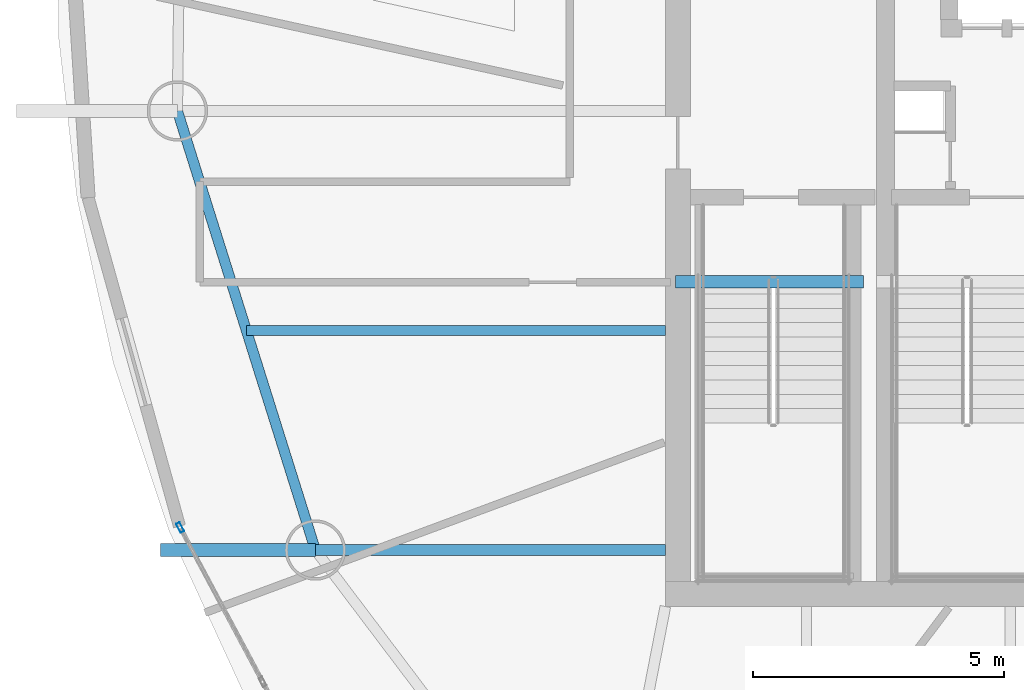
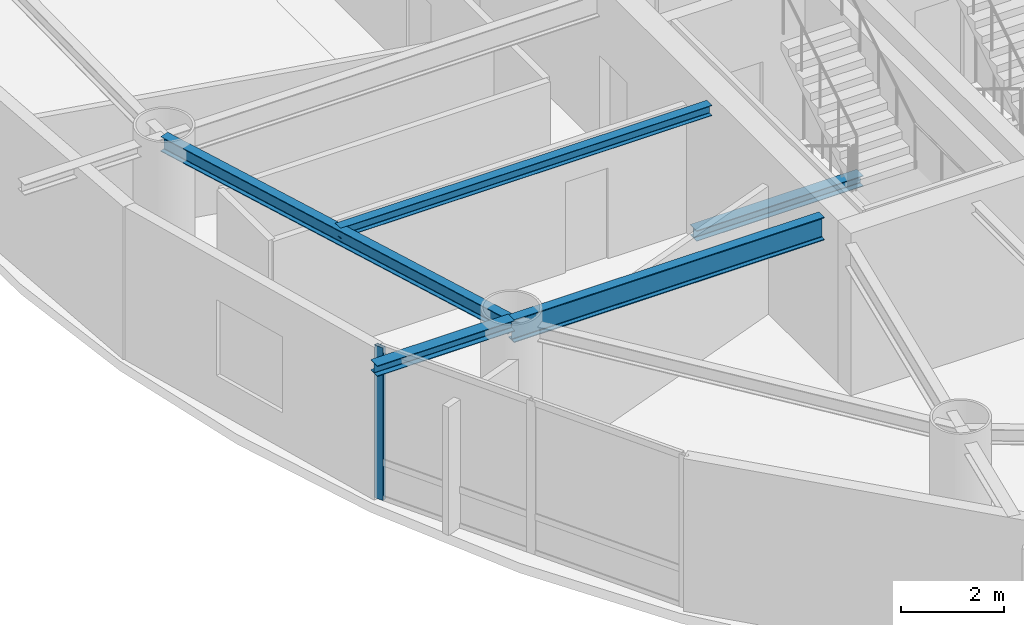
# One storey, part 5 of 22: 5 beams, 1 member, 1 element without a shape of its own.
"""IFC4 building model written with IfcOpenShell, lengths in metres."""

from ifc_helpers import new_model, si_unit, direction, frame, origin, origin_2d, place, context, subcontext, project, spatial, hollow_rectangle, i_section, extrude, material, layer, layer_set, material_profile, profile_set, type_object, element, aggregate, save


model = new_model("IFC4")

# Units and contexts
model_context = context("Model", 3, precision=1e-05, world=origin(), true_north=direction((0.0, 1.0)))
body_context = subcontext(model_context, "Body", "Model", "MODEL_VIEW")
ifc_project = project(units=[si_unit("LENGTHUNIT", "METRE"), si_unit("AREAUNIT", "SQUARE_METRE"), si_unit("VOLUMEUNIT", "CUBIC_METRE"), si_unit("PLANEANGLEUNIT", "RADIAN"), si_unit("MASSUNIT", "GRAM", prefix="KILO")], contexts=[model_context])

# Site, building, storey
site_placement = place(None, origin())
site = spatial("IfcSite", under=ifc_project, at=site_placement, CompositionType="ELEMENT")
building_placement = place(site_placement, origin())
building = spatial("IfcBuilding", under=site, at=building_placement, Name="Bramvorn Convention Spire", CompositionType="ELEMENT")
storey_placement = place(building_placement, frame((0.0, 0.0, 190.449951171875)))
storey = spatial("IfcBuildingStorey", under=building, at=storey_placement, Name="L48", CompositionType="ELEMENT", Elevation=190.449951171875)

# Beams
ifc_material_1 = material(Name="Steel CSA G40.21 Grade 350 (350W)", Category="steel")
ifc_material_profile_1 = material_profile(ifc_material_1, i_section(OverallWidth=0.201904296875, OverallDepth=0.2470703125, WebThickness=0.00732421875, FlangeThickness=0.010986328125, FilletRadius=0.011962890625, at=origin_2d()))
ifc_profile_set_1 = profile_set([ifc_material_profile_1], Name="Steel CSA G40.21 Grade 350 (350W) - W250X49")
beam_type_1 = type_object("IfcBeamType", Name="BM-W250X49", PredefinedType="JOIST", material=ifc_profile_set_1)
beam_1_placement = place(storey_placement, frame((26.75, 24.039794921875, 3.49658203125), z_axis=(-1.0, 0.0, 0.0), x_axis=(0.0, -1.0, 0.0)))
element("IfcBeam", 1, at=beam_1_placement, inside=storey, type_object=beam_type_1, Name="L48 composite floor joist 11", PredefinedType="JOIST", context=body_context, shape_type="SweptSolid", body=[
    extrude(i_section(OverallWidth=0.201904296875, OverallDepth=0.2470703125, WebThickness=0.00732421875, FlangeThickness=0.010986328125, FilletRadius=0.011962890625, at=origin_2d()), origin(), (0.0, 0.0, 1.0), 8.33251953125),
])
ifc_material_profile_2 = material_profile(ifc_material_1, i_section(OverallWidth=0.25390625, OverallDepth=0.2529296875, WebThickness=0.008544921875, FlangeThickness=0.01416015625, FilletRadius=0.011962890625, at=origin_2d()))
ifc_profile_set_2 = profile_set([ifc_material_profile_2], Name="Steel CSA G40.21 Grade 350 (350W) - W250X73")
beam_type_2 = type_object("IfcBeamType", Name="BM-W250X73", PredefinedType="BEAM", material=ifc_profile_set_2)
beam_2_placement = place(storey_placement, frame((19.78955078125, 19.672607421875, 3.49365234375), z_axis=(-1.0, 0.0, 0.0), x_axis=(0.0, -1.0, 0.0)))
element("IfcBeam", 2, at=beam_2_placement, inside=storey, type_object=beam_type_2, Name="L48 slab-edge cantilever tip beam MC12", PredefinedType="BEAM", context=body_context, shape_type="SweptSolid", body=[
    extrude(i_section(OverallWidth=0.25390625, OverallDepth=0.2529296875, WebThickness=0.008544921875, FlangeThickness=0.01416015625, FilletRadius=0.011962890625, at=origin_2d()), origin(), (0.0, 0.0, 1.0), 3.079345703125),
])
beam_3_placement = place(storey_placement, frame((26.949951171875, 25.010009765625, -0.12646484375), z_axis=(1.0, 0.0, 0.0), x_axis=(0.0, 1.0, 0.0)))
element("IfcBeam", 3, at=beam_3_placement, inside=storey, type_object=beam_type_2, Name="L48 ST1 stair arrival header beam", PredefinedType="BEAM", context=body_context, shape_type="SweptSolid", body=[
    extrude(i_section(OverallWidth=0.25390625, OverallDepth=0.2529296875, WebThickness=0.008544921875, FlangeThickness=0.01416015625, FilletRadius=0.011962890625, at=origin_2d()), origin(), (0.0, 0.0, 1.0), 3.739990234375),
])
ifc_material_profile_3 = material_profile(ifc_material_1, i_section(OverallWidth=0.205078125, OverallDepth=0.35400390625, WebThickness=0.009521484375, FlangeThickness=0.016845703125, FilletRadius=0.014892578125, at=origin_2d()))
ifc_profile_set_3 = profile_set([ifc_material_profile_3], Name="Steel CSA G40.21 Grade 350 (350W) - W360X79")
beam_type_3 = type_object("IfcBeamType", Name="BM-W360X79", PredefinedType="JOIST", material=ifc_profile_set_3)
beam_4_placement = place(storey_placement, frame((17.04541015625, 28.406494140625, 3.443115234375), z_axis=(0.299747542929, -0.954018558786, 0.0), x_axis=(0.954018558786, 0.299747542929, 0.0)))
element("IfcBeam", 4, at=beam_4_placement, inside=storey, type_object=beam_type_3, Name="L48 mega-column ring beam 11", PredefinedType="JOIST", context=body_context, shape_type="SweptSolid", body=[
    extrude(i_section(OverallWidth=0.205078125, OverallDepth=0.35400390625, WebThickness=0.009521484375, FlangeThickness=0.016845703125, FilletRadius=0.014892578125, at=origin_2d()), origin(), (0.0, 0.0, 1.0), 9.15478515625),
])
ifc_material_profile_4 = material_profile(ifc_material_1, i_section(OverallWidth=0.2119140625, OverallDepth=0.5439453125, WebThickness=0.01318359375, FlangeThickness=0.021240234375, FilletRadius=0.01904296875, at=origin_2d()))
ifc_profile_set_4 = profile_set([ifc_material_profile_4], Name="Steel CSA G40.21 Grade 350 (350W) - W530X123")
beam_type_4 = type_object("IfcBeamType", Name="BM-W530X123", PredefinedType="BEAM", material=ifc_profile_set_4)
beam_5_placement = place(storey_placement, frame((26.75, 19.672607421875, 3.34814453125), z_axis=(-1.0, 0.0, 0.0), x_axis=(0.0, -1.0, 0.0)))
element("IfcBeam", 5, at=beam_5_placement, inside=storey, type_object=beam_type_4, Name="L48 radial floor girder MC12", PredefinedType="BEAM", context=body_context, shape_type="SweptSolid", body=[
    extrude(i_section(OverallWidth=0.2119140625, OverallDepth=0.5439453125, WebThickness=0.01318359375, FlangeThickness=0.021240234375, FilletRadius=0.01904296875, at=origin_2d()), origin(), (0.0, 0.0, 1.0), 6.96044921875),
])

# Curtain wall, member
ifc_material_2 = material(Name="Anodised Bronze Unitised Curtain Wall", Category="aluminium")
ifc_layer = layer(ifc_material_2, 0.179931640625)
ifc_layer_set = layer_set([ifc_layer], Name="Anodised Bronze Unitised Curtain Wall - CW-OFF-FRIT")
curtain_wall_type = type_object("IfcCurtainWallType", Name="CW-OFF-FRIT", PredefinedType="USERDEFINED", material=ifc_layer_set)
curtain_wall_placement = place(storey_placement, origin())
curtain_wall = element("IfcCurtainWall", 6, at=curtain_wall_placement, inside=storey, type_object=curtain_wall_type, Name="L48 fritted glass curtain wall 17", ObjectType="UNITISED CURTAIN WALL", PredefinedType="USERDEFINED")
ifc_material_3 = material(Name="Anodised Bronze Aluminium 6063-T6", Category="aluminium")
ifc_material_profile_5 = material_profile(ifc_material_3, hollow_rectangle(XDim=0.080078125, YDim=0.199951171875, WallThickness=0.00390625, InnerFilletRadius=0.0009765625, OuterFilletRadius=0.00390625, at=origin_2d()))
ifc_profile_set_5 = profile_set([ifc_material_profile_5], Name="Anodised Bronze Aluminium 6063-T6 - CWM80X200")
member_type = type_object("IfcMemberType", Name="CW-MUL-180", PredefinedType="MULLION", material=ifc_profile_set_5)
member_placement = place(storey_placement, frame((17.100341796875, 20.12060546875, 0.0), z_axis=(0.0, 0.0, 1.0), x_axis=(-0.882046650653, -0.471162080469, 0.0)))
member = element("IfcMember", 7, at=member_placement, type_object=member_type, Name="CW3 mullion 3", PredefinedType="MULLION", context=body_context, shape_type="SweptSolid", body=[
    extrude(hollow_rectangle(XDim=0.080078125, YDim=0.199951171875, WallThickness=0.00390625, InnerFilletRadius=0.0009765625, OuterFilletRadius=0.00390625, at=origin_2d()), origin(), (0.0, 0.0, 1.0), 3.6201171875),
])
aggregate(curtain_wall, [member])

save(model, "model.ifc")
